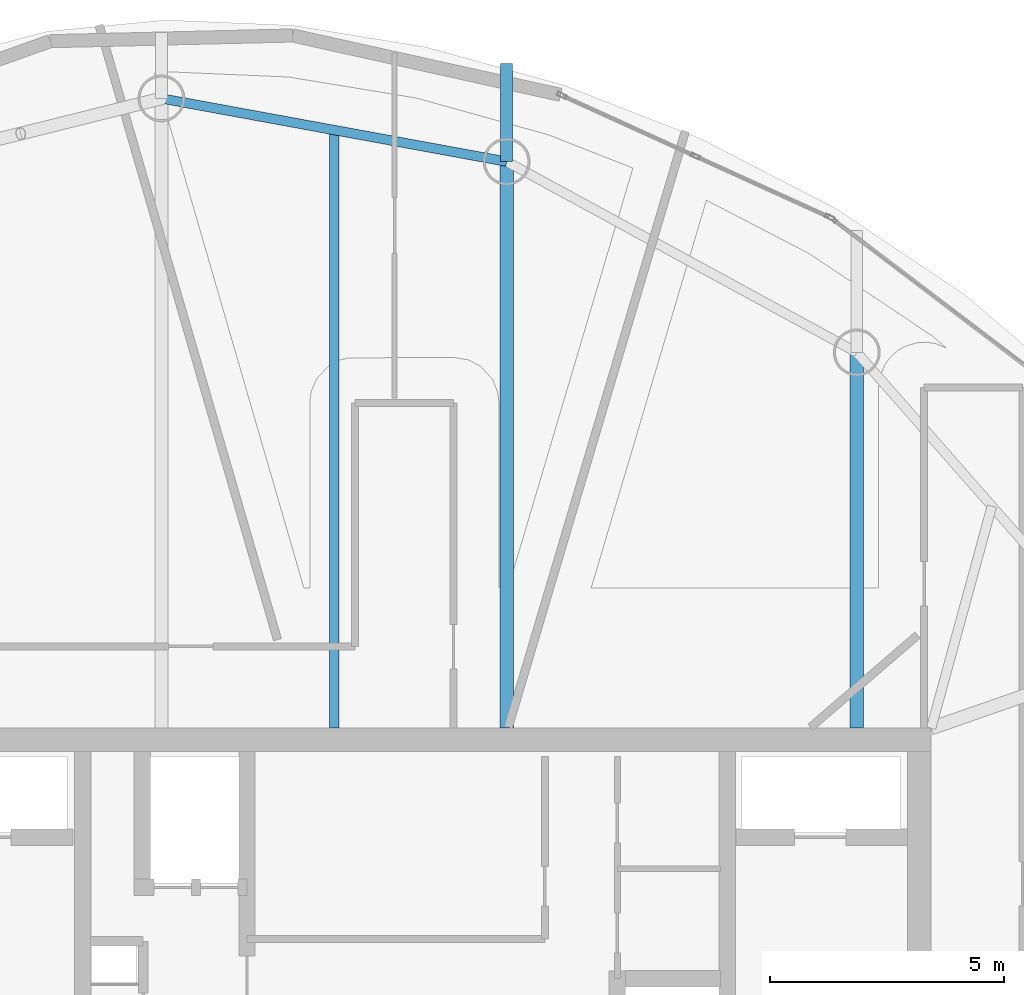
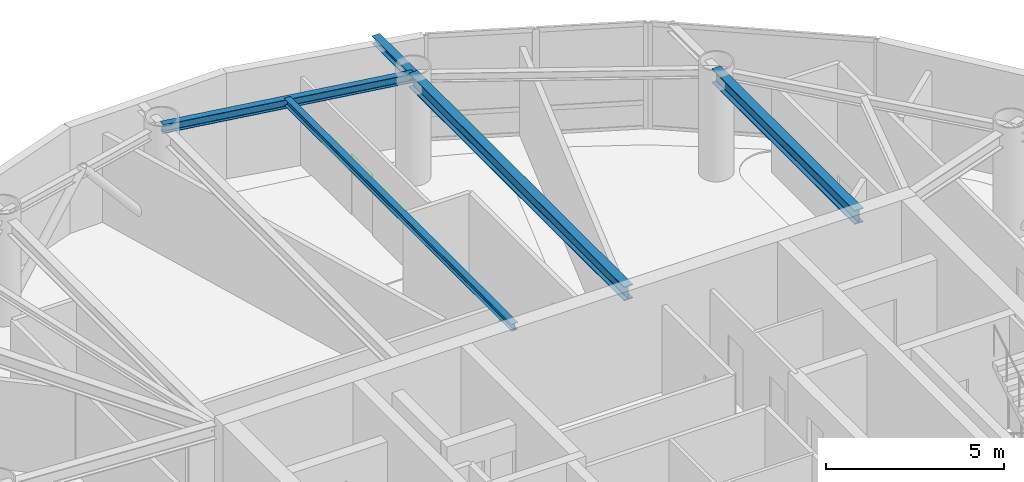
# One storey, part 10 of 19: 5 beams.
"""IFC4 building model written with IfcOpenShell, lengths in metres."""

from ifc_helpers import new_model, si_unit, direction, frame, origin, origin_2d, place, context, subcontext, project, spatial, i_section, extrude, material, material_profile, profile_set, type_object, element, save


model = new_model("IFC4")

# Units and contexts
model_context = context("Model", 3, precision=1e-05, world=origin(), true_north=direction((0.0, 1.0)))
body_context = subcontext(model_context, "Body", "Model", "MODEL_VIEW")
ifc_project = project(units=[si_unit("LENGTHUNIT", "METRE"), si_unit("AREAUNIT", "SQUARE_METRE"), si_unit("VOLUMEUNIT", "CUBIC_METRE"), si_unit("PLANEANGLEUNIT", "RADIAN"), si_unit("MASSUNIT", "GRAM", prefix="KILO")], contexts=[model_context])

# Site, building, storey
site_placement = place(None, origin())
site = spatial("IfcSite", under=ifc_project, at=site_placement, CompositionType="ELEMENT")
building_placement = place(site_placement, origin())
building = spatial("IfcBuilding", under=site, at=building_placement, Name="Bramvorn Convention Spire", CompositionType="ELEMENT")
storey_placement = place(building_placement, frame((0.0, 0.0, 272.85009765625)))
storey = spatial("IfcBuildingStorey", under=building, at=storey_placement, Name="L69", CompositionType="ELEMENT", Elevation=272.85009765625)

# Beams
ifc_material = material(Name="Steel CSA G40.21 Grade 350 (350W)", Category="steel")
ifc_material_profile_1 = material_profile(ifc_material, i_section(OverallWidth=0.201904296875, OverallDepth=0.2470703125, WebThickness=0.00732421875, FlangeThickness=0.010986328125, FilletRadius=0.011962890625, at=origin_2d()))
ifc_profile_set_1 = profile_set([ifc_material_profile_1], Name="Steel CSA G40.21 Grade 350 (350W) - W250X49")
beam_type_1 = type_object("IfcBeamType", Name="BM-W250X49", PredefinedType="JOIST", material=ifc_profile_set_1)
beam_1_placement = place(storey_placement, frame((36.498046875, 33.449951171875, 3.50146484375), z_axis=(0.0, 1.0, 0.0), x_axis=(-1.0, 0.0, 0.0)))
element("IfcBeam", 1, at=beam_1_placement, inside=storey, type_object=beam_type_1, Name="L69 composite floor joist 07", PredefinedType="JOIST", context=body_context, shape_type="SweptSolid", body=[
    extrude(i_section(OverallWidth=0.201904296875, OverallDepth=0.2470703125, WebThickness=0.00732421875, FlangeThickness=0.010986328125, FilletRadius=0.011962890625, at=origin_2d()), origin(), (0.0, 0.0, 1.0), 12.77587890625),
])
ifc_material_profile_2 = material_profile(ifc_material, i_section(OverallWidth=0.25390625, OverallDepth=0.2529296875, WebThickness=0.008544921875, FlangeThickness=0.01416015625, FilletRadius=0.011962890625, at=origin_2d()))
ifc_profile_set_2 = profile_set([ifc_material_profile_2], Name="Steel CSA G40.21 Grade 350 (350W) - W250X73")
beam_type_2 = type_object("IfcBeamType", Name="BM-W250X73", PredefinedType="BEAM", material=ifc_profile_set_2)
beam_2_placement = place(storey_placement, frame((40.1845703125, 45.55078125, 3.498291015625), z_axis=(0.0, 1.0, 0.0), x_axis=(-1.0, 0.0, 0.0)))
element("IfcBeam", 2, at=beam_2_placement, inside=storey, type_object=beam_type_2, Name="L69 slab-edge cantilever tip beam MC07", PredefinedType="BEAM", context=body_context, shape_type="SweptSolid", body=[
    extrude(i_section(OverallWidth=0.25390625, OverallDepth=0.2529296875, WebThickness=0.008544921875, FlangeThickness=0.01416015625, FilletRadius=0.011962890625, at=origin_2d()), origin(), (0.0, 0.0, 1.0), 2.093505859375),
])
ifc_material_profile_3 = material_profile(ifc_material, i_section(OverallWidth=0.202880859375, OverallDepth=0.302978515625, WebThickness=0.007568359375, FlangeThickness=0.01318359375, FilletRadius=0.013916015625, at=origin_2d()))
ifc_profile_set_3 = profile_set([ifc_material_profile_3], Name="Steel CSA G40.21 Grade 350 (350W) - W310X60")
beam_type_3 = type_object("IfcBeamType", Name="BM-W310X60", PredefinedType="JOIST", material=ifc_profile_set_3)
beam_3_placement = place(storey_placement, frame((40.1845703125, 45.55078125, 3.473388671875), z_axis=(-0.983645049461, 0.180117785547, 0.0), x_axis=(-0.180117785547, -0.983645049461, 0.0)))
element("IfcBeam", 3, at=beam_3_placement, inside=storey, type_object=beam_type_3, Name="L69 mega-column ring beam 07", PredefinedType="JOIST", context=body_context, shape_type="SweptSolid", body=[
    extrude(i_section(OverallWidth=0.202880859375, OverallDepth=0.302978515625, WebThickness=0.007568359375, FlangeThickness=0.01318359375, FilletRadius=0.013916015625, at=origin_2d()), origin(), (0.0, 0.0, 1.0), 7.49560546875),
])
ifc_material_profile_4 = material_profile(ifc_material, i_section(OverallWidth=0.283935546875, OverallDepth=0.47607421875, WebThickness=0.014892578125, FlangeThickness=0.02392578125, FilletRadius=0.01806640625, at=origin_2d()))
ifc_profile_set_4 = profile_set([ifc_material_profile_4], Name="Steel CSA G40.21 Grade 350 (350W) - W460X158")
beam_type_4 = type_object("IfcBeamType", Name="BM-W460X158", PredefinedType="SPANDREL", material=ifc_profile_set_4)
beam_4_placement = place(storey_placement, frame((47.662353515625, 33.449951171875, 3.386962890625), z_axis=(0.0, 1.0, 0.0), x_axis=(-1.0, 0.0, 0.0)))
element("IfcBeam", 4, at=beam_4_placement, inside=storey, type_object=beam_type_4, Name="L69 radial floor girder MC06", PredefinedType="SPANDREL", context=body_context, shape_type="SweptSolid", body=[
    extrude(i_section(OverallWidth=0.283935546875, OverallDepth=0.47607421875, WebThickness=0.014892578125, FlangeThickness=0.02392578125, FilletRadius=0.01806640625, at=origin_2d()), origin(), (0.0, 0.0, 1.0), 8.02685546875),
])
beam_5_placement = place(storey_placement, frame((40.1845703125, 33.449951171875, 3.386962890625), z_axis=(0.0, 1.0, 0.0), x_axis=(-1.0, 0.0, 0.0)))
element("IfcBeam", 5, at=beam_5_placement, inside=storey, type_object=beam_type_4, Name="L69 radial floor girder MC07", PredefinedType="SPANDREL", context=body_context, shape_type="SweptSolid", body=[
    extrude(i_section(OverallWidth=0.283935546875, OverallDepth=0.47607421875, WebThickness=0.014892578125, FlangeThickness=0.02392578125, FilletRadius=0.01806640625, at=origin_2d()), origin(), (0.0, 0.0, 1.0), 12.100830078125),
])

save(model, "model.ifc")
